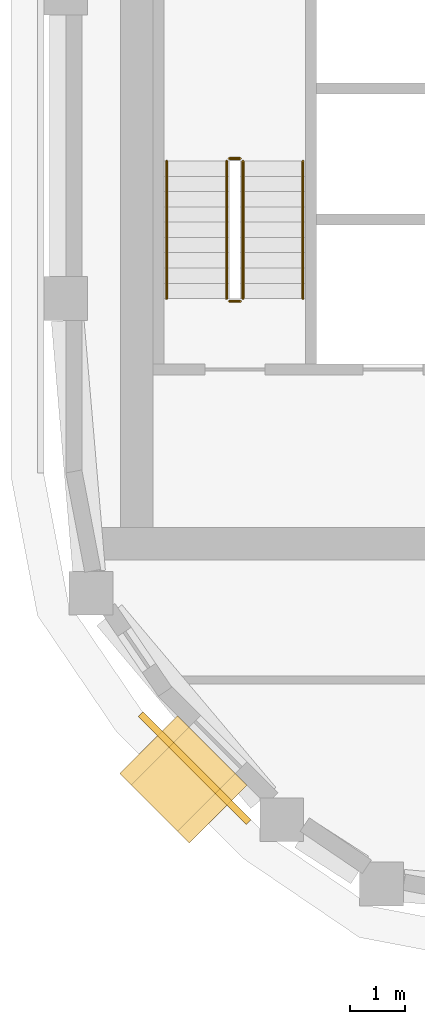
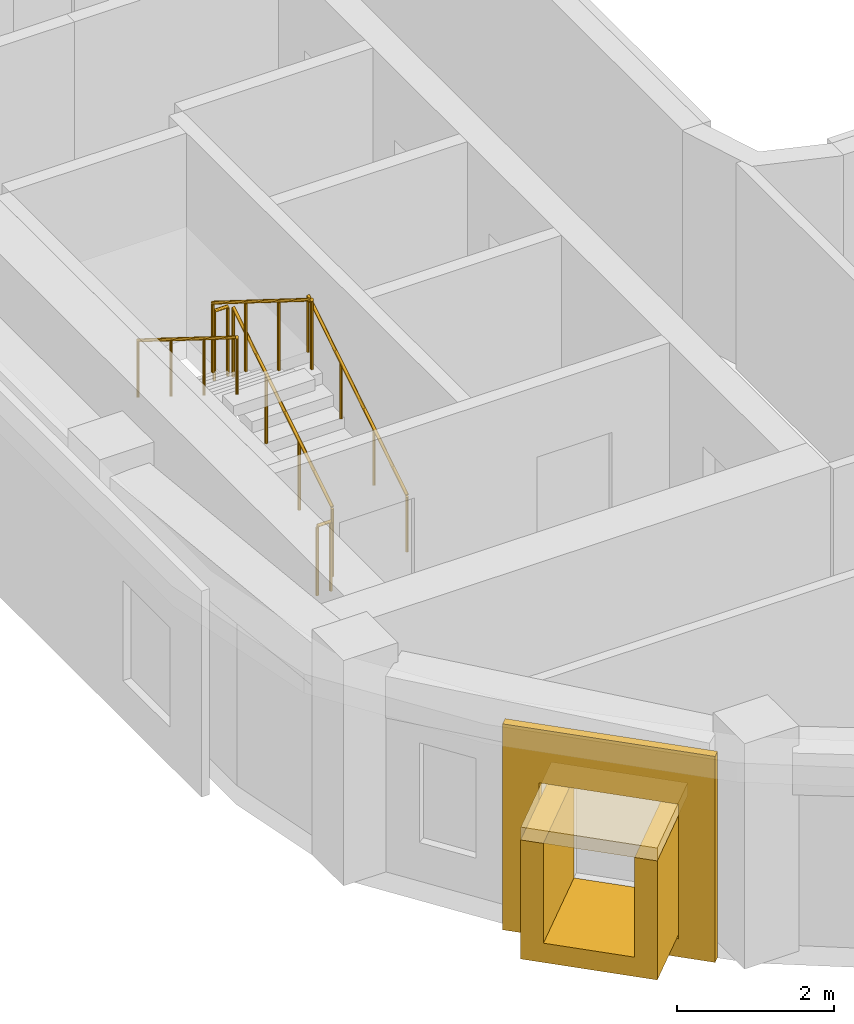
# One storey, part 9 of 15: 6 railings, 3 coverings.
"""IFC4 building model written with IfcOpenShell, lengths in metres."""

from ifc_helpers import new_model, si_unit, direction, frame, origin, origin_2d, place, context, subcontext, project, spatial, polyline, rectangle, circle, outline, extrude, material, layer, layer_set, type_object, element, save


model = new_model("IFC4")

# Units and contexts
model_context = context("Model", 3, precision=1e-05, world=origin(), true_north=direction((0.0, 1.0)))
body_context = subcontext(model_context, "Body", "Model", "MODEL_VIEW")
ifc_project = project(units=[si_unit("LENGTHUNIT", "METRE"), si_unit("AREAUNIT", "SQUARE_METRE"), si_unit("VOLUMEUNIT", "CUBIC_METRE"), si_unit("PLANEANGLEUNIT", "RADIAN"), si_unit("MASSUNIT", "GRAM", prefix="KILO")], contexts=[model_context])

# Site, building, storey
site_placement = place(None, origin())
site = spatial("IfcSite", under=ifc_project, at=site_placement, CompositionType="ELEMENT")
building_placement = place(site_placement, origin())
building = spatial("IfcBuilding", under=site, at=building_placement, Name="Kiln Ring Residences", CompositionType="ELEMENT")
storey_placement = place(building_placement, frame((0.0, 0.0, 252.199951171875)))
storey = spatial("IfcBuildingStorey", under=building, at=storey_placement, Name="L65", CompositionType="ELEMENT", Elevation=252.199951171875)

# Railings
ifc_material_1 = material(Name="Stainless steel", Category="steel")
railing_type_1 = type_object("IfcRailingType", Name="CORE-STAIR-GUARD", PredefinedType="GUARDRAIL", material=ifc_material_1)
railing_1_placement = place(storey_placement, frame((-21.949951171875, -8.39990234375, 0.175048828125)))
element("IfcRailing", 1, at=railing_1_placement, inside=storey, type_object=railing_type_1, Name="L65 W-STS stair guard 1", PredefinedType="GUARDRAIL", context=body_context, shape_type="SweptSolid", body=[
    extrude(circle(Radius=0.02392578125, at=origin_2d()), frame((0.0, 0.0, 1.076171875), z_axis=(0.0, 0.848007534815, 0.529984170421), x_axis=(-1.0, 0.0, 0.0)), (0.0, 0.0, 1.0), 2.9716796875),
    extrude(circle(Radius=0.02099609375, at=origin_2d()), origin(), (0.0, 0.0, 1.0), 1.052001953125),
    extrude(circle(Radius=0.02099609375, at=origin_2d()), frame((0.0, 0.840087890625, 0.52490234375)), (0.0, 0.0, 1.0), 1.052001953125),
    extrude(circle(Radius=0.02099609375, at=origin_2d()), frame((0.0, 1.679931640625, 1.050048828125)), (0.0, 0.0, 1.0), 1.052001953125),
    extrude(circle(Radius=0.02099609375, at=origin_2d()), frame((0.0, 2.52001953125, 1.574951171875)), (0.0, 0.0, 1.0), 1.052001953125),
])
railing_2_placement = place(storey_placement, frame((-22.0, -5.830078125, 1.75)))
element("IfcRailing", 2, at=railing_2_placement, inside=storey, type_object=railing_type_1, Name="L65 W-STS stair guard 2", PredefinedType="GUARDRAIL", context=body_context, shape_type="SweptSolid", body=[
    extrude(circle(Radius=0.02392578125, at=origin_2d()), frame((0.0, 0.0, 1.076171875), z_axis=(-1.0, 0.0, 0.0), x_axis=(0.0, -1.0, 0.0)), (0.0, 0.0, 1.0), 0.199951171875),
    extrude(circle(Radius=0.02099609375, at=origin_2d()), origin(), (0.0, 0.0, 1.0), 1.052001953125),
    extrude(circle(Radius=0.02099609375, at=origin_2d()), frame((-0.199951171875, 0.0, 0.0)), (0.0, 0.0, 1.0), 1.052001953125),
])
railing_3_placement = place(storey_placement, frame((-22.25, -5.8798828125, 1.925048828125)))
element("IfcRailing", 3, at=railing_3_placement, inside=storey, type_object=railing_type_1, Name="L65 W-STS stair guard 3", PredefinedType="GUARDRAIL", context=body_context, shape_type="SweptSolid", body=[
    extrude(circle(Radius=0.02392578125, at=origin_2d()), frame((0.0, 0.0, 1.076171875), z_axis=(0.0, -0.848007534815, 0.529984170421), x_axis=(1.0, 0.0, 0.0)), (0.0, 0.0, 1.0), 2.9716796875),
    extrude(circle(Radius=0.02099609375, at=origin_2d()), origin(), (0.0, 0.0, 1.0), 1.052001953125),
    extrude(circle(Radius=0.02099609375, at=origin_2d()), frame((0.0, -0.840087890625, 0.52490234375)), (0.0, 0.0, 1.0), 1.052001953125),
    extrude(circle(Radius=0.02099609375, at=origin_2d()), frame((0.0, -1.679931640625, 1.050048828125)), (0.0, 0.0, 1.0), 1.052001953125),
    extrude(circle(Radius=0.02099609375, at=origin_2d()), frame((0.0, -2.52001953125, 1.574951171875)), (0.0, 0.0, 1.0), 1.052001953125),
])
railing_4_placement = place(storey_placement, frame((-22.0, -8.449951171875, 0.0)))
element("IfcRailing", 4, at=railing_4_placement, inside=storey, type_object=railing_type_1, Name="L65 W-STS stair guard 4", PredefinedType="GUARDRAIL", context=body_context, shape_type="SweptSolid", body=[
    extrude(circle(Radius=0.02392578125, at=origin_2d()), frame((0.0, 0.0, 1.076171875), z_axis=(-1.0, 0.0, 0.0), x_axis=(0.0, -1.0, 0.0)), (0.0, 0.0, 1.0), 0.199951171875),
    extrude(circle(Radius=0.02099609375, at=origin_2d()), origin(), (0.0, 0.0, 1.0), 1.052001953125),
    extrude(circle(Radius=0.02099609375, at=origin_2d()), frame((-0.199951171875, 0.0, 0.0)), (0.0, 0.0, 1.0), 1.052001953125),
])
ifc_material_2 = material(Name="Stainless steel", Category="steel")
railing_type_2 = type_object("IfcRailingType", Name="CORE-STAIR-HANDRAIL", PredefinedType="HANDRAIL", material=ifc_material_2)
railing_5_placement = place(storey_placement, frame((-20.85009765625, -8.39990234375, 0.175048828125)))
element("IfcRailing", 5, at=railing_5_placement, inside=storey, type_object=railing_type_2, Name="L65 W-STS stair handrail 1", PredefinedType="HANDRAIL", context=body_context, shape_type="SweptSolid", body=[
    extrude(circle(Radius=0.02392578125, at=origin_2d()), frame((0.0, 0.0, 0.8759765625), z_axis=(0.0, 0.848007534815, 0.529984170421), x_axis=(-1.0, 0.0, 0.0)), (0.0, 0.0, 1.0), 2.9716796875),
    extrude(circle(Radius=0.02099609375, at=origin_2d()), origin(), (0.0, 0.0, 1.0), 0.851806640625),
    extrude(circle(Radius=0.02099609375, at=origin_2d()), frame((0.0, 0.840087890625, 0.52490234375)), (0.0, 0.0, 1.0), 0.851806640625),
    extrude(circle(Radius=0.02099609375, at=origin_2d()), frame((0.0, 1.679931640625, 1.050048828125)), (0.0, 0.0, 1.0), 0.851806640625),
    extrude(circle(Radius=0.02099609375, at=origin_2d()), frame((0.0, 2.52001953125, 1.574951171875)), (0.0, 0.0, 1.0), 0.851806640625),
])
railing_6_placement = place(storey_placement, frame((-23.35009765625, -5.8798828125, 1.925048828125)))
element("IfcRailing", 6, at=railing_6_placement, inside=storey, type_object=railing_type_2, Name="L65 W-STS stair handrail 2", PredefinedType="HANDRAIL", context=body_context, shape_type="SweptSolid", body=[
    extrude(circle(Radius=0.02392578125, at=origin_2d()), frame((0.0, 0.0, 0.8759765625), z_axis=(0.0, -0.848007534815, 0.529984170421), x_axis=(1.0, 0.0, 0.0)), (0.0, 0.0, 1.0), 2.9716796875),
    extrude(circle(Radius=0.02099609375, at=origin_2d()), origin(), (0.0, 0.0, 1.0), 0.851806640625),
    extrude(circle(Radius=0.02099609375, at=origin_2d()), frame((0.0, -0.840087890625, 0.52490234375)), (0.0, 0.0, 1.0), 0.851806640625),
    extrude(circle(Radius=0.02099609375, at=origin_2d()), frame((0.0, -1.679931640625, 1.050048828125)), (0.0, 0.0, 1.0), 0.851806640625),
    extrude(circle(Radius=0.02099609375, at=origin_2d()), frame((0.0, -2.52001953125, 1.574951171875)), (0.0, 0.0, 1.0), 0.851806640625),
])

# Coverings
ifc_material_3 = material(Name="Brick masonry, dark clay brick", Category="masonry")
ifc_layer_1 = layer(ifc_material_3, 0.300048828125)
ifc_layer_set_1 = layer_set([ifc_layer_1], Name="FRAME CHEEKS AND SILL 1500")
covering_type_1 = type_object("IfcCoveringType", Name="FRAME CHEEKS AND SILL 1500", PredefinedType="CLADDING", material=ifc_layer_set_1)
covering_1_placement = place(storey_placement, frame((-23.6796875, -16.5810546875, 0.300048828125), z_axis=(0.0, 0.0, 1.0), x_axis=(0.707106781187, -0.707106781187, 0.0)))
element("IfcCovering", 7, at=covering_1_placement, inside=storey, type_object=covering_type_1, Name="FRAME L65", PredefinedType="CLADDING", context=body_context, shape_type="SweptSolid", body=[
    extrude(outline(polyline([(0.0, 0.0), (1.7998046875, 0.0), (1.800048828125, 1.85009765625), (1.5009765625, 1.85009765625), (1.5, 0.300048828125), (0.300048828125, 0.300048828125), (0.299072265625, 1.85009765625), (0.0, 1.85009765625), (0.0, 0.0)])), frame((0.0, 0.75, 0.0), z_axis=(0.0, -1.0, 0.0), x_axis=(1.0, 0.0, 0.0)), (0.0, 0.0, 1.0), 1.5),
])
ifc_material_4 = material(Name="Brick masonry, dark clay brick", Category="masonry")
ifc_layer_2 = layer(ifc_material_4, 0.199951171875)
ifc_layer_set_2 = layer_set([ifc_layer_2], Name="FRAME HEAD 1500")
covering_type_2 = type_object("IfcCoveringType", Name="FRAME HEAD 1500", PredefinedType="CLADDING", material=ifc_layer_set_2)
covering_2_placement = place(storey_placement, frame((-23.043212890625, -17.21728515625, 2.14990234375), z_axis=(0.0, 0.0, 1.0), x_axis=(0.707106781187, -0.707106781187, 0.0)))
element("IfcCovering", 8, at=covering_2_placement, inside=storey, type_object=covering_type_2, Name="FRAME HEAD L65", PredefinedType="CLADDING", context=body_context, shape_type="SweptSolid", body=[
    extrude(rectangle(XDim=1.800048828125, YDim=1.5, at=origin_2d()), origin(), (0.0, 0.0, 1.0), 0.199951171875),
])
ifc_material_5 = material(Name="Brick masonry, dark clay brick", Category="masonry")
ifc_layer_3 = layer(ifc_material_5, 0.1201171875)
ifc_layer_set_3 = layer_set([ifc_layer_3], Name="RAINSCREEN PANEL 120")
covering_type_3 = type_object("IfcCoveringType", Name="RAINSCREEN PANEL 120", PredefinedType="CLADDING", material=ifc_layer_set_3)
covering_3_placement = place(storey_placement, frame((-23.828125, -16.022216796875, 0.0), z_axis=(0.0, 0.0, 1.0), x_axis=(0.707063182409, -0.707150377276, 0.0)))
element("IfcCovering", 9, at=covering_3_placement, inside=storey, type_object=covering_type_3, Name="RAINSCREEN L65", PredefinedType="CLADDING", context=body_context, shape_type="SweptSolid", body=[
    extrude(outline(polyline([(0.0, 0.0), (2.800048828125, 0.0), (2.800048828125, 3.199951171875), (0.0, 3.199951171875), (0.0, 0.0)]), holes=[polyline([(0.47998046875, 2.3701171875), (0.47998046875, 0.280029296875), (2.320068359375, 0.280029296875), (2.320068359375, 2.3701171875), (0.47998046875, 2.3701171875)])]), frame((0.0, 0.06005859375, 0.0), z_axis=(0.0, -1.0, 0.0), x_axis=(1.0, 0.0, 0.0)), (0.0, 0.0, 1.0), 0.1201171875),
])

save(model, "model.ifc")
